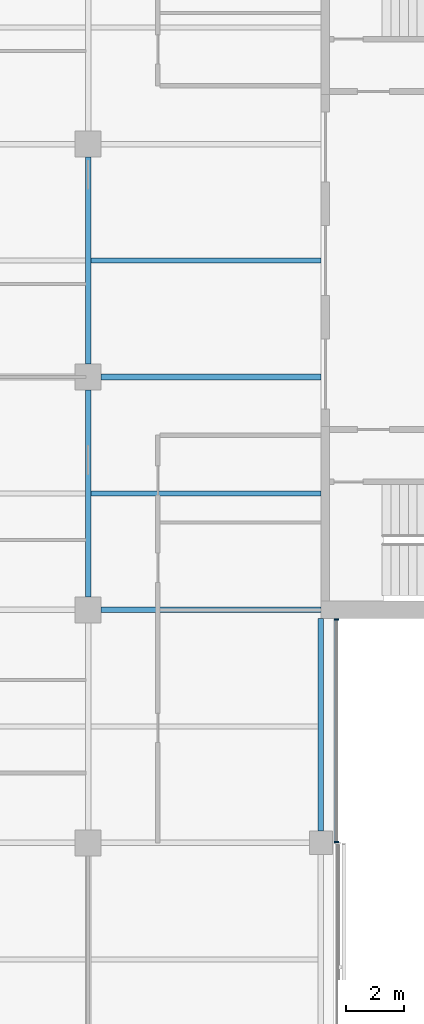
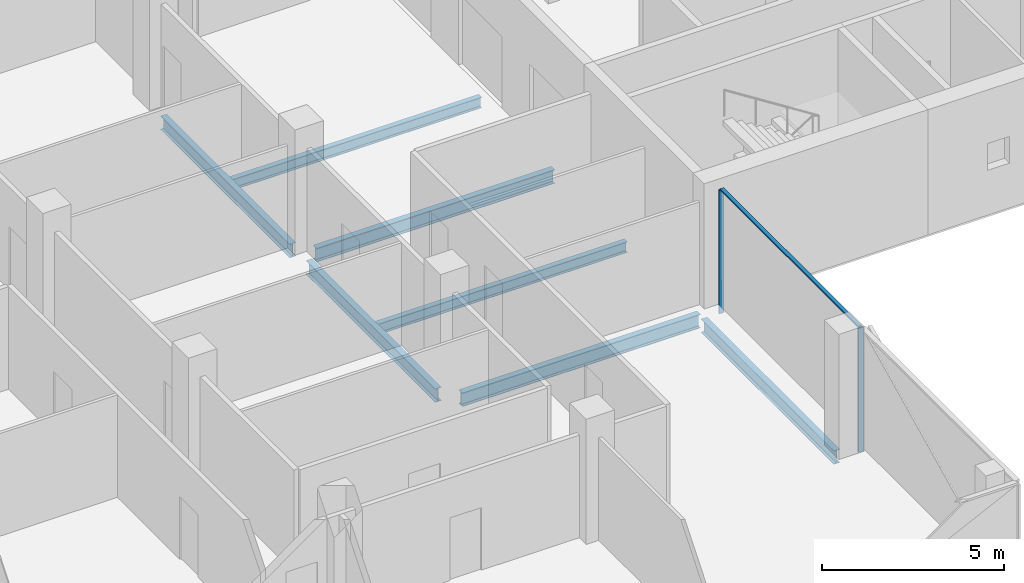
# One storey, part 4 of 15: 7 beams, 3 members, 1 element without a shape of its own.
"""IFC4 building model written with IfcOpenShell, lengths in metres."""

from ifc_helpers import new_model, si_unit, direction, frame, origin, origin_2d, place, context, subcontext, project, spatial, rectangle, i_section, extrude, material, material_profile, profile_set, type_object, element, aggregate, save


model = new_model("IFC4")

# Units and contexts
model_context = context("Model", 3, precision=1e-05, world=origin(), true_north=direction((0.0, 1.0)))
body_context = subcontext(model_context, "Body", "Model", "MODEL_VIEW")
ifc_project = project(units=[si_unit("LENGTHUNIT", "METRE"), si_unit("AREAUNIT", "SQUARE_METRE"), si_unit("VOLUMEUNIT", "CUBIC_METRE"), si_unit("PLANEANGLEUNIT", "RADIAN"), si_unit("MASSUNIT", "GRAM", prefix="KILO")], contexts=[model_context])

# Site, building, storey
site_placement = place(None, origin())
site = spatial("IfcSite", under=ifc_project, at=site_placement, CompositionType="ELEMENT")
building_placement = place(site_placement, origin())
building = spatial("IfcBuilding", under=site, at=building_placement, Name="Crosswind Convention Tower", CompositionType="ELEMENT")
storey_placement = place(building_placement, frame((0.0, 0.0, 204.10009765625)))
storey = spatial("IfcBuildingStorey", under=building, at=storey_placement, Name="L43", CompositionType="ELEMENT", Elevation=204.10009765625)

# Beams
ifc_material_1 = material(Name="Steel S355", Category="steel")
ifc_material_profile_1 = material_profile(ifc_material_1, i_section(OverallWidth=0.18994140625, OverallDepth=0.45361328125, WebThickness=0.008544921875, FlangeThickness=0.0126953125, FilletRadius=0.01025390625, at=origin_2d()), Name="UB 457x191x67")
ifc_profile_set_1 = profile_set([ifc_material_profile_1], Name="Steel S355")
beam_type_1 = type_object("IfcBeamType", Name="Edge beam UB 457x191x67", PredefinedType="SPANDREL", material=ifc_profile_set_1)
beam_placement = place(storey_placement, frame((137.0, 80.39990234375, -0.52685546875), z_axis=(0.0, 1.0, 0.0), x_axis=(-1.0, 0.0, 0.0)))
element("IfcBeam", 1, at=beam_placement, inside=storey, type_object=beam_type_1, Name="B16 L43 edge beam 12", PredefinedType="SPANDREL", context=body_context, shape_type="SweptSolid", body=[
    extrude(i_section(OverallWidth=0.18994140625, OverallDepth=0.45361328125, WebThickness=0.008544921875, FlangeThickness=0.0126953125, FilletRadius=0.01025390625, at=origin_2d()), origin(), (0.0, 0.0, 1.0), 7.300048828125),
])
ifc_material_profile_2 = material_profile(ifc_material_1, i_section(OverallWidth=0.1904296875, OverallDepth=0.457275390625, WebThickness=0.009033203125, FlangeThickness=0.014404296875, FilletRadius=0.01025390625, at=origin_2d()), Name="UB 457x191x75")
ifc_profile_set_2 = profile_set([ifc_material_profile_2], Name="Steel S355")
beam_type_2 = type_object("IfcBeamType", Name="Girder UB 457x191x75", PredefinedType="BEAM", material=ifc_profile_set_2)
for number, where, z_axis, x_axis, name in (
    (2, (129.0, 88.449951171875, -0.52880859375), (0.0, 1.0, 0.0), (-1.0, 0.0, 0.0), "B2 L43 girder 18"),
    (3, (129.0, 96.449951171875, -0.52880859375), (0.0, 1.0, 0.0), (-1.0, 0.0, 0.0), "B2 L43 girder 19"),
):
    element("IfcBeam", number, at=place(storey_placement, frame(where, z_axis=z_axis, x_axis=x_axis)), inside=storey, type_object=beam_type_2, Name=name, PredefinedType="BEAM", context=body_context, shape_type="SweptSolid", body=[
        extrude(i_section(OverallWidth=0.1904296875, OverallDepth=0.457275390625, WebThickness=0.009033203125, FlangeThickness=0.014404296875, FilletRadius=0.01025390625, at=origin_2d()), origin(), (0.0, 0.0, 1.0), 7.10009765625),
    ])
ifc_material_profile_3 = material_profile(ifc_material_1, i_section(OverallWidth=0.19140625, OverallDepth=0.460205078125, WebThickness=0.010009765625, FlangeThickness=0.01611328125, FilletRadius=0.01025390625, at=origin_2d()), Name="UB 457x191x82")
ifc_profile_set_3 = profile_set([ifc_material_profile_3], Name="Steel S355")
beam_type_3 = type_object("IfcBeamType", Name="Girder at core wall UB 457x191x82", PredefinedType="BEAM", material=ifc_profile_set_3)
for number, where, z_axis, x_axis, name in (
    (4, (129.449951171875, 88.0, -0.5302734375), (1.0, 0.0, 0.0), (0.0, 1.0, 0.0), "B23 L43 girder at core wall 5"),
    (5, (129.449951171875, 96.0, -0.5302734375), (1.0, 0.0, 0.0), (0.0, 1.0, 0.0), "B23 L43 girder at core wall 6"),
):
    element("IfcBeam", number, at=place(storey_placement, frame(where, z_axis=z_axis, x_axis=x_axis)), inside=storey, type_object=beam_type_3, Name=name, PredefinedType="BEAM", context=body_context, shape_type="SweptSolid", body=[
        extrude(i_section(OverallWidth=0.19140625, OverallDepth=0.460205078125, WebThickness=0.010009765625, FlangeThickness=0.01611328125, FilletRadius=0.01025390625, at=origin_2d()), origin(), (0.0, 0.0, 1.0), 7.550048828125),
    ])

# Curtain wall, members
ifc_material_2 = material(Name="Aluminium unitised curtain wall", Category="aluminium")
curtain_wall_type = type_object("IfcCurtainWallType", Name="CORE END SLOT WALL 160", PredefinedType="USERDEFINED", material=ifc_material_2)
curtain_wall_placement = place(storey_placement, origin())
curtain_wall = element("IfcCurtainWall", 6, at=curtain_wall_placement, inside=storey, type_object=curtain_wall_type, Name="CW6 L43 S-E.1-2 slot", ObjectType="UNITISED", PredefinedType="USERDEFINED")
ifc_material_3 = material(Name="Aluminium mullion", Category="aluminium")
ifc_material_profile_4 = material_profile(ifc_material_3, rectangle(XDim=0.159912109375, YDim=0.050048828125, at=origin_2d()), Name="AL 160X50")
ifc_profile_set_4 = profile_set([ifc_material_profile_4], Name="Aluminium mullion")
member_type_1 = type_object("IfcMemberType", Name="MULLION 50X160", PredefinedType="MULLION", material=ifc_profile_set_4)
member_1_placement = place(storey_placement, frame((137.530029296875, 80.02490234375, -0.300048828125), z_axis=(0.0, 0.0, 1.0), x_axis=(1.0, 0.0, 0.0)))
member_1 = element("IfcMember", 7, at=member_1_placement, type_object=member_type_1, Name="CW6 mullion 1", PredefinedType="MULLION", context=body_context, shape_type="SweptSolid", body=[
    extrude(rectangle(XDim=0.159912109375, YDim=0.050048828125, at=origin_2d()), origin(), (0.0, 0.0, 1.0), 4.14990234375),
])
member_2_placement = place(storey_placement, frame((137.530029296875, 87.675048828125, -0.300048828125), z_axis=(0.0, 0.0, 1.0), x_axis=(1.0, 0.0, 0.0)))
member_2 = element("IfcMember", 8, at=member_2_placement, type_object=member_type_1, Name="CW6 mullion 2", PredefinedType="MULLION", context=body_context, shape_type="SweptSolid", body=[
    extrude(rectangle(XDim=0.159912109375, YDim=0.050048828125, at=origin_2d()), origin(), (0.0, 0.0, 1.0), 4.14990234375),
])

# Beams
ifc_material_profile_5 = material_profile(ifc_material_1, i_section(OverallWidth=0.172119140625, OverallDepth=0.358642578125, WebThickness=0.008056640625, FlangeThickness=0.012939453125, FilletRadius=0.01025390625, at=origin_2d()), Name="UB 356x171x57")
ifc_profile_set_5 = profile_set([ifc_material_profile_5], Name="Steel S355")
beam_type_4 = type_object("IfcBeamType", Name="Secondary beam UB 356x171x57", PredefinedType="JOIST", material=ifc_profile_set_5)
for number, where, z_axis, x_axis, name in (
    (9, (129.09521484375, 92.0, -0.4794921875), (1.0, 0.0, 0.0), (0.0, 1.0, 0.0), "B9 L43 secondary beam 17"),
    (10, (129.09521484375, 100.0, -0.4794921875), (1.0, 0.0, 0.0), (0.0, 1.0, 0.0), "B9 L43 secondary beam 18"),
):
    element("IfcBeam", number, at=place(storey_placement, frame(where, z_axis=z_axis, x_axis=x_axis)), inside=storey, type_object=beam_type_4, Name=name, PredefinedType="JOIST", context=body_context, shape_type="SweptSolid", body=[
        extrude(i_section(OverallWidth=0.172119140625, OverallDepth=0.358642578125, WebThickness=0.008056640625, FlangeThickness=0.012939453125, FilletRadius=0.01025390625, at=origin_2d()), origin(), (0.0, 0.0, 1.0), 7.90478515625),
    ])

# Member
ifc_material_4 = material(Name="Aluminium transom", Category="aluminium")
ifc_material_profile_6 = material_profile(ifc_material_4, rectangle(XDim=0.1201171875, YDim=0.050048828125, at=origin_2d()), Name="AL 120X50")
ifc_profile_set_6 = profile_set([ifc_material_profile_6], Name="Aluminium transom")
member_type_2 = type_object("IfcMemberType", Name="TRANSOM 50X120", PredefinedType="USERDEFINED", material=ifc_profile_set_6)
member_3_placement = place(storey_placement, frame((137.530029296875, 80.050048828125, 3.875), z_axis=(0.0, 1.0, 0.0), x_axis=(-1.0, 0.0, 0.0)))
member_3 = element("IfcMember", 11, at=member_3_placement, type_object=member_type_2, Name="CW6 transom", ObjectType="TRANSOM", PredefinedType="USERDEFINED", context=body_context, shape_type="SweptSolid", body=[
    extrude(rectangle(XDim=0.1201171875, YDim=0.050048828125, at=origin_2d()), origin(), (0.0, 0.0, 1.0), 7.599853515625),
])

aggregate(curtain_wall, [member_1, member_2, member_3])

save(model, "model.ifc")
